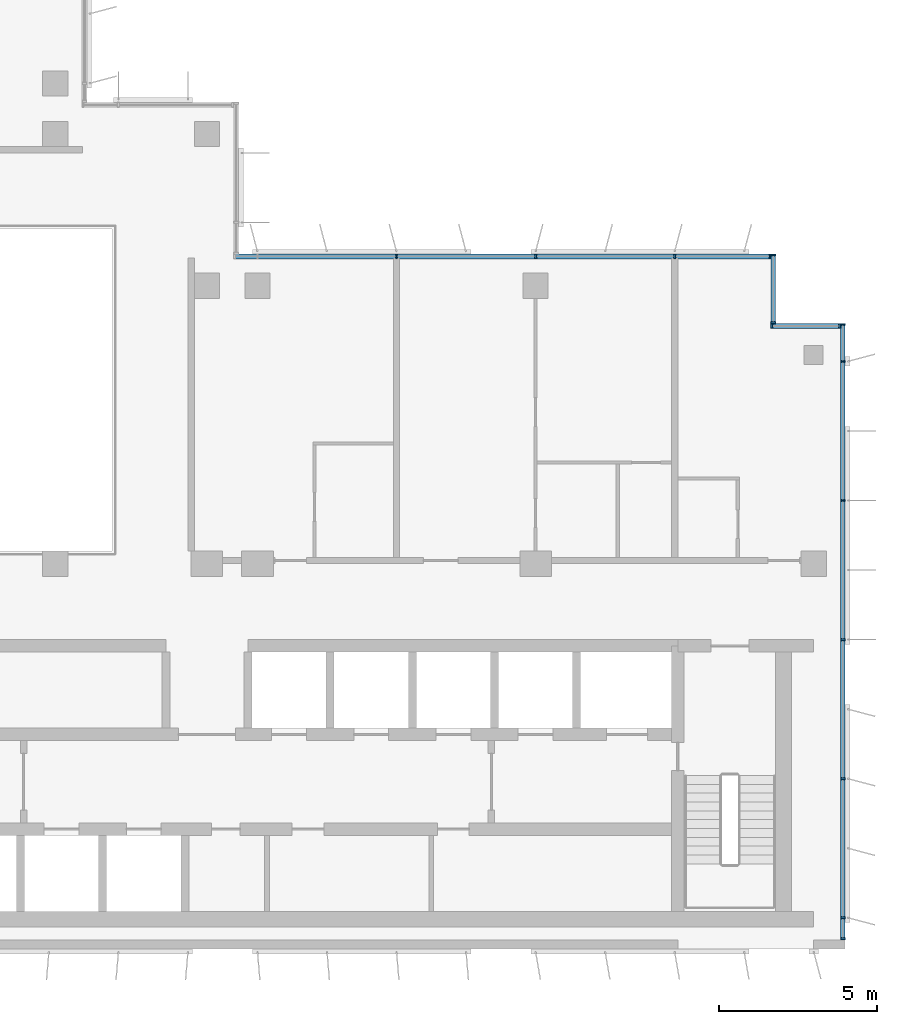
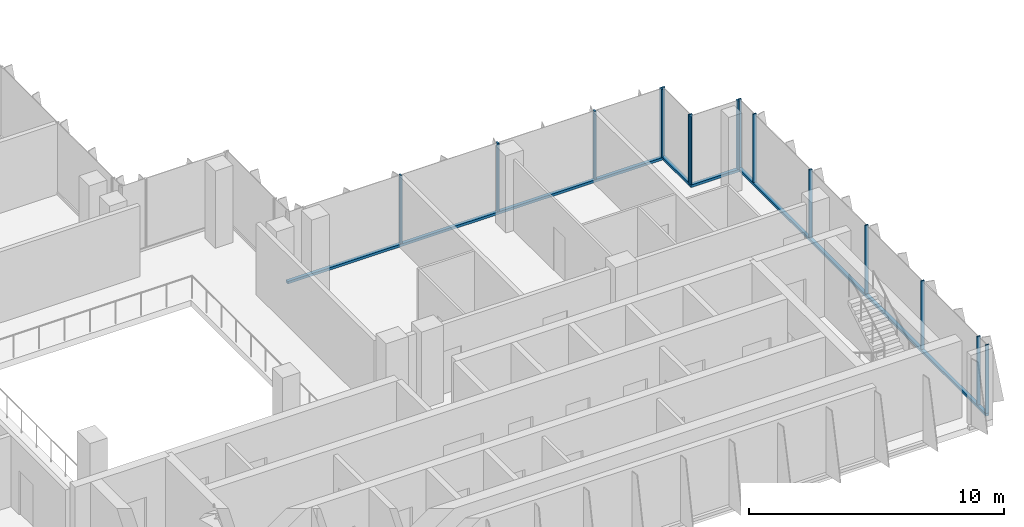
# One storey, part 3 of 16: 19 members, 4 elements without a shape of their own.
"""IFC4 building model written with IfcOpenShell, lengths in metres."""

from ifc_helpers import new_model, si_unit, direction, frame, origin, origin_2d, place, context, subcontext, project, spatial, rectangle, extrude, source, transform, mapped, material, material_profile, profile_set, type_object, element, aggregate, save


model = new_model("IFC4")

# Units and contexts
model_context = context("Model", 3, precision=1e-05, world=origin(), true_north=direction((0.0, 1.0)))
body_context = subcontext(model_context, "Body", "Model", "MODEL_VIEW")
ifc_project = project(units=[si_unit("LENGTHUNIT", "METRE"), si_unit("AREAUNIT", "SQUARE_METRE"), si_unit("VOLUMEUNIT", "CUBIC_METRE"), si_unit("PLANEANGLEUNIT", "RADIAN"), si_unit("MASSUNIT", "GRAM", prefix="KILO")], contexts=[model_context])

# Site, building, storey
site_placement = place(None, origin())
site = spatial("IfcSite", under=ifc_project, at=site_placement, CompositionType="ELEMENT")
building_placement = place(site_placement, origin())
building = spatial("IfcBuilding", under=site, at=building_placement, Name="Kemantara Hotel Tower", CompositionType="ELEMENT")
storey_placement = place(building_placement, frame((0.0, 0.0, 287.0)))
storey = spatial("IfcBuildingStorey", under=building, at=storey_placement, Name="L72", CompositionType="ELEMENT", Elevation=287.0)

# Curtain wall, member
ifc_material_1 = material(Name="Low-E tinted double insulated glass 36 mm", Category="glass")
curtain_wall_type = type_object("IfcCurtainWallType", Name="TOWER CURTAIN WALL, FRONT FACES", PredefinedType="USERDEFINED", material=ifc_material_1)
curtain_wall_1_placement = place(storey_placement, origin())
curtain_wall_1 = element("IfcCurtainWall", 1, at=curtain_wall_1_placement, inside=storey, type_object=curtain_wall_type, Name="CW4 L72 T4-R09-1", ObjectType="TOWER CURTAIN WALL, FRONT FACES", PredefinedType="USERDEFINED")
ifc_material_2 = material(Name="Aluminium 6063-T6 bronze anodised", Category="aluminium")
ifc_material_profile_1 = material_profile(ifc_material_2, rectangle(XDim=0.14990234375, YDim=0.1201171875, at=origin_2d()), Name="TOWER CURTAIN WALL, FRONT FACES TRANSOM")
ifc_profile_set_1 = profile_set([ifc_material_profile_1], Name="Aluminium 6063-T6 bronze anodised")
member_type_1 = type_object("IfcMemberType", Name="TOWER CURTAIN WALL, FRONT FACES TRANSOM", PredefinedType="USERDEFINED", material=ifc_profile_set_1)
member_1_placement = place(storey_placement, frame((45.925048828125, 0.300048828125, 0.06005859375), z_axis=(0.0, 1.0, 0.0), x_axis=(-1.0, 0.0, 0.0)))
member_1 = element("IfcMember", 2, at=member_1_placement, type_object=member_type_1, Name="CW4 sill transom T4-R09-1", ObjectType="TRANSOM", PredefinedType="USERDEFINED", context=body_context, shape_type="SweptSolid", body=[
    extrude(rectangle(XDim=0.14990234375, YDim=0.1201171875, at=origin_2d()), origin(), (0.0, 0.0, 1.0), 19.5),
])

curtain_wall_2_placement = place(storey_placement, origin())
curtain_wall_2 = element("IfcCurtainWall", 3, at=curtain_wall_2_placement, inside=storey, type_object=curtain_wall_type, Name="CW4 L72 T4-R12-1", ObjectType="TOWER CURTAIN WALL, FRONT FACES", PredefinedType="USERDEFINED")
member_2_placement = place(storey_placement, frame((43.64990234375, 21.925048828125, 0.06005859375), z_axis=(-1.0, 0.0, 0.0), x_axis=(0.0, -1.0, 0.0)))
member_2 = element("IfcMember", 4, at=member_2_placement, type_object=member_type_1, Name="CW4 sill transom T4-R12-1", ObjectType="TRANSOM", PredefinedType="USERDEFINED", context=body_context, shape_type="SweptSolid", body=[
    extrude(rectangle(XDim=0.14990234375, YDim=0.1201171875, at=origin_2d()), origin(), (0.0, 0.0, 1.0), 17.0),
])

curtain_wall_3_placement = place(storey_placement, origin())
curtain_wall_3 = element("IfcCurtainWall", 5, at=curtain_wall_3_placement, inside=storey, type_object=curtain_wall_type, Name="CW4 L72 T4-R10-1", ObjectType="TOWER CURTAIN WALL, FRONT FACES", PredefinedType="USERDEFINED")
member_3_placement = place(storey_placement, frame((45.85009765625, 19.72509765625, 0.06005859375), z_axis=(-1.0, 0.0, 0.0), x_axis=(0.0, -1.0, 0.0)))
member_3 = element("IfcMember", 6, at=member_3_placement, type_object=member_type_1, Name="CW4 sill transom T4-R10-1", ObjectType="TRANSOM", PredefinedType="USERDEFINED", context=body_context, shape_type="SweptSolid", body=[
    extrude(rectangle(XDim=0.14990234375, YDim=0.1201171875, at=origin_2d()), origin(), (0.0, 0.0, 1.0), 2.2001953125),
])

curtain_wall_4_placement = place(storey_placement, origin())
curtain_wall_4 = element("IfcCurtainWall", 7, at=curtain_wall_4_placement, inside=storey, type_object=curtain_wall_type, Name="CW4 L72 T4-R11-1", ObjectType="TOWER CURTAIN WALL, FRONT FACES", PredefinedType="USERDEFINED")
member_4_placement = place(storey_placement, frame((43.72509765625, 19.800048828125, 0.06005859375), z_axis=(0.0, 1.0, 0.0), x_axis=(-1.0, 0.0, 0.0)))
member_4 = element("IfcMember", 8, at=member_4_placement, type_object=member_type_1, Name="CW4 sill transom T4-R11-1", ObjectType="TRANSOM", PredefinedType="USERDEFINED", context=body_context, shape_type="SweptSolid", body=[
    extrude(rectangle(XDim=0.14990234375, YDim=0.1201171875, at=origin_2d()), origin(), (0.0, 0.0, 1.0), 2.199951171875),
])

# Member
ifc_material_profile_2 = material_profile(ifc_material_2, rectangle(XDim=0.14990234375, YDim=0.06005859375, at=origin_2d()), Name="TOWER CURTAIN WALL, FRONT FACES MULLION")
ifc_profile_set_2 = profile_set([ifc_material_profile_2], Name="Aluminium 6063-T6 bronze anodised")
member_type_2 = type_object("IfcMemberType", Name="TOWER CURTAIN WALL, FRONT FACES MULLION", PredefinedType="MULLION", material=ifc_profile_set_2)
shared_shape = source(origin(), body_context, "Body", "SweptSolid", [
    extrude(rectangle(XDim=0.14990234375, YDim=0.06005859375, at=origin_2d()), origin(), (0.0, 0.0, 1.0), 3.27978515625),
])
member_5_placement = place(storey_placement, frame((45.925048828125, 0.330078125, 0.1201171875), z_axis=(0.0, 0.0, 1.0), x_axis=(-1.0, 0.0, 0.0)))
member_5 = element("IfcMember", 9, at=member_5_placement, type_object=member_type_2, Name="CW4 mullion T4-R09-1.1", PredefinedType="MULLION", context=body_context, shape_type="MappedRepresentation", body=[
    mapped(shared_shape, transform((0.0, 0.0, 0.0))),
])

member_6_placement = place(storey_placement, frame((45.925048828125, 1.0, 0.1201171875), z_axis=(0.0, 0.0, 1.0), x_axis=(-1.0, 0.0, 0.0)))
member_6 = element("IfcMember", 10, at=member_6_placement, type_object=member_type_2, Name="CW4 mullion T4-R09-1.2", PredefinedType="MULLION", context=body_context, shape_type="MappedRepresentation", body=[
    mapped(shared_shape, transform((0.0, 0.0, 0.0))),
])

member_7_placement = place(storey_placement, frame((45.925048828125, 5.39990234375, 0.1201171875), z_axis=(0.0, 0.0, 1.0), x_axis=(-1.0, 0.0, 0.0)))
member_7 = element("IfcMember", 11, at=member_7_placement, type_object=member_type_2, Name="CW4 mullion T4-R09-1.3", PredefinedType="MULLION", context=body_context, shape_type="MappedRepresentation", body=[
    mapped(shared_shape, transform((0.0, 0.0, 0.0))),
])

member_8_placement = place(storey_placement, frame((45.925048828125, 9.800048828125, 0.1201171875), z_axis=(0.0, 0.0, 1.0), x_axis=(-1.0, 0.0, 0.0)))
member_8 = element("IfcMember", 12, at=member_8_placement, type_object=member_type_2, Name="CW4 mullion T4-R09-1.4", PredefinedType="MULLION", context=body_context, shape_type="MappedRepresentation", body=[
    mapped(shared_shape, transform((0.0, 0.0, 0.0))),
])

member_9_placement = place(storey_placement, frame((45.925048828125, 14.199951171875, 0.1201171875), z_axis=(0.0, 0.0, 1.0), x_axis=(-1.0, 0.0, 0.0)))
member_9 = element("IfcMember", 13, at=member_9_placement, type_object=member_type_2, Name="CW4 mullion T4-R09-1.5", PredefinedType="MULLION", context=body_context, shape_type="MappedRepresentation", body=[
    mapped(shared_shape, transform((0.0, 0.0, 0.0))),
])

member_10_placement = place(storey_placement, frame((45.925048828125, 18.60009765625, 0.1201171875), z_axis=(0.0, 0.0, 1.0), x_axis=(-1.0, 0.0, 0.0)))
member_10 = element("IfcMember", 14, at=member_10_placement, type_object=member_type_2, Name="CW4 mullion T4-R09-1.6", PredefinedType="MULLION", context=body_context, shape_type="MappedRepresentation", body=[
    mapped(shared_shape, transform((0.0, 0.0, 0.0))),
])

member_11_placement = place(storey_placement, frame((45.925048828125, 19.77001953125, 0.1201171875), z_axis=(0.0, 0.0, 1.0), x_axis=(-1.0, 0.0, 0.0)))
member_11 = element("IfcMember", 15, at=member_11_placement, type_object=member_type_2, Name="CW4 mullion T4-R09-1.7", PredefinedType="MULLION", context=body_context, shape_type="MappedRepresentation", body=[
    mapped(shared_shape, transform((0.0, 0.0, 0.0))),
])

aggregate(curtain_wall_1, [member_1, member_5, member_6, member_7, member_8, member_9, member_10, member_11])

member_12_placement = place(storey_placement, frame((43.6201171875, 21.925048828125, 0.1201171875), z_axis=(0.0, 0.0, 1.0), x_axis=(0.0, -1.0, 0.0)))
member_12 = element("IfcMember", 16, at=member_12_placement, type_object=member_type_2, Name="CW4 mullion T4-R12-1.1", PredefinedType="MULLION", context=body_context, shape_type="MappedRepresentation", body=[
    mapped(shared_shape, transform((0.0, 0.0, 0.0))),
])

member_13_placement = place(storey_placement, frame((40.60009765625, 21.925048828125, 0.1201171875), z_axis=(0.0, 0.0, 1.0), x_axis=(0.0, -1.0, 0.0)))
member_13 = element("IfcMember", 17, at=member_13_placement, type_object=member_type_2, Name="CW4 mullion T4-R12-1.2", PredefinedType="MULLION", context=body_context, shape_type="MappedRepresentation", body=[
    mapped(shared_shape, transform((0.0, 0.0, 0.0))),
])

member_14_placement = place(storey_placement, frame((36.199951171875, 21.925048828125, 0.1201171875), z_axis=(0.0, 0.0, 1.0), x_axis=(0.0, -1.0, 0.0)))
member_14 = element("IfcMember", 18, at=member_14_placement, type_object=member_type_2, Name="CW4 mullion T4-R12-1.3", PredefinedType="MULLION", context=body_context, shape_type="MappedRepresentation", body=[
    mapped(shared_shape, transform((0.0, 0.0, 0.0))),
])

member_15_placement = place(storey_placement, frame((31.800048828125, 21.925048828125, 0.1201171875), z_axis=(0.0, 0.0, 1.0), x_axis=(0.0, -1.0, 0.0)))
member_15 = element("IfcMember", 19, at=member_15_placement, type_object=member_type_2, Name="CW4 mullion T4-R12-1.4", PredefinedType="MULLION", context=body_context, shape_type="MappedRepresentation", body=[
    mapped(shared_shape, transform((0.0, 0.0, 0.0))),
])

aggregate(curtain_wall_2, [member_2, member_12, member_13, member_14, member_15])

member_16_placement = place(storey_placement, frame((45.820068359375, 19.72509765625, 0.1201171875), z_axis=(0.0, 0.0, 1.0), x_axis=(0.0, -1.0, 0.0)))
member_16 = element("IfcMember", 20, at=member_16_placement, type_object=member_type_2, Name="CW4 mullion T4-R10-1.1", PredefinedType="MULLION", context=body_context, shape_type="MappedRepresentation", body=[
    mapped(shared_shape, transform((0.0, 0.0, 0.0))),
])

member_17_placement = place(storey_placement, frame((43.679931640625, 19.72509765625, 0.1201171875), z_axis=(0.0, 0.0, 1.0), x_axis=(0.0, -1.0, 0.0)))
member_17 = element("IfcMember", 21, at=member_17_placement, type_object=member_type_2, Name="CW4 mullion T4-R10-1.2", PredefinedType="MULLION", context=body_context, shape_type="MappedRepresentation", body=[
    mapped(shared_shape, transform((0.0, 0.0, 0.0))),
])

aggregate(curtain_wall_3, [member_3, member_16, member_17])

member_18_placement = place(storey_placement, frame((43.72509765625, 19.830078125, 0.1201171875), z_axis=(0.0, 0.0, 1.0), x_axis=(-1.0, 0.0, 0.0)))
member_18 = element("IfcMember", 22, at=member_18_placement, type_object=member_type_2, Name="CW4 mullion T4-R11-1.1", PredefinedType="MULLION", context=body_context, shape_type="MappedRepresentation", body=[
    mapped(shared_shape, transform((0.0, 0.0, 0.0))),
])

member_19_placement = place(storey_placement, frame((43.72509765625, 21.969970703125, 0.1201171875), z_axis=(0.0, 0.0, 1.0), x_axis=(-1.0, 0.0, 0.0)))
member_19 = element("IfcMember", 23, at=member_19_placement, type_object=member_type_2, Name="CW4 mullion T4-R11-1.2", PredefinedType="MULLION", context=body_context, shape_type="MappedRepresentation", body=[
    mapped(shared_shape, transform((0.0, 0.0, 0.0))),
])

aggregate(curtain_wall_4, [member_4, member_18, member_19])

save(model, "model.ifc")
